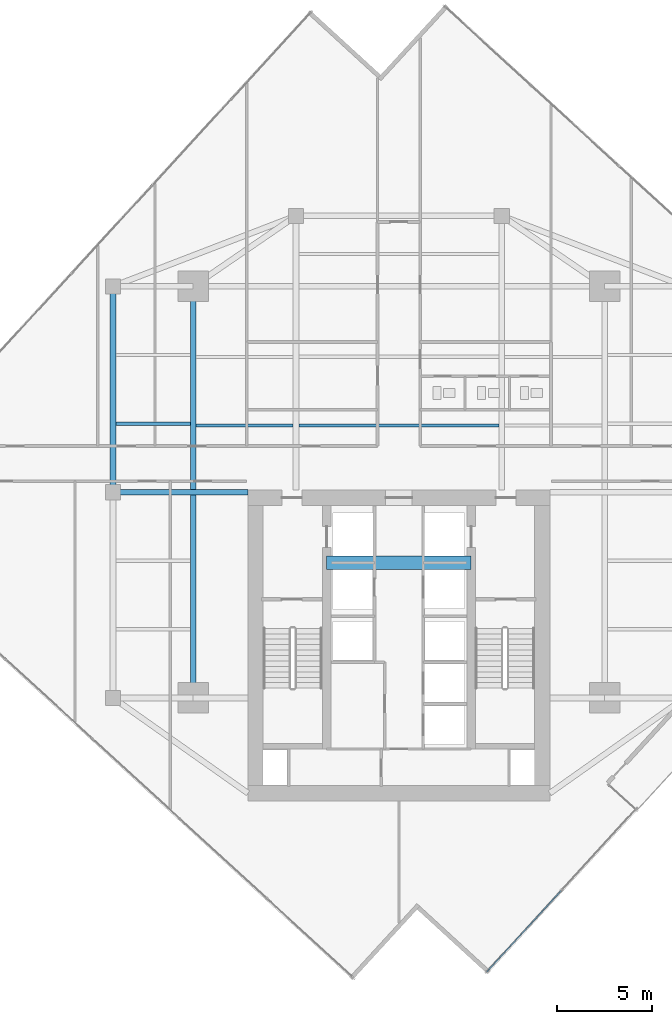
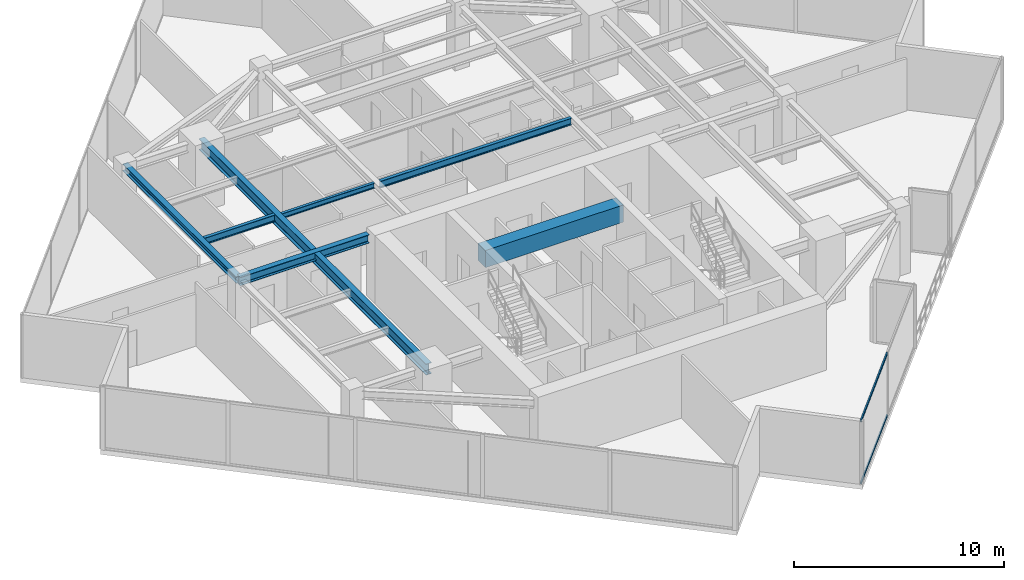
# One storey, part 9 of 26: 7 beams, 2 members, 1 element without a shape of its own.
"""IFC4 building model written with IfcOpenShell, lengths in metres."""

from ifc_helpers import new_model, si_unit, direction, frame, origin, origin_2d, place, context, subcontext, project, spatial, rectangle, hollow_rectangle, i_section, extrude, source, transform, mapped, material, material_profile, profile_set, type_object, type_shapes, element, aggregate, save


model = new_model("IFC4")

# Units and contexts
model_context = context("Model", 3, precision=1e-05, world=origin(), true_north=direction((0.0, 1.0)))
body_context = subcontext(model_context, "Body", "Model", "MODEL_VIEW")
ifc_project = project(units=[si_unit("LENGTHUNIT", "METRE"), si_unit("AREAUNIT", "SQUARE_METRE"), si_unit("VOLUMEUNIT", "CUBIC_METRE"), si_unit("PLANEANGLEUNIT", "RADIAN"), si_unit("MASSUNIT", "GRAM", prefix="KILO")], contexts=[model_context])

# Site, building, storey
site_placement = place(None, origin())
site = spatial("IfcSite", under=ifc_project, at=site_placement, CompositionType="ELEMENT")
building_placement = place(site_placement, origin())
building = spatial("IfcBuilding", under=site, at=building_placement, Name="Krantzveldt Concourse Tower", CompositionType="ELEMENT")
storey_placement = place(building_placement, frame((0.0, 0.0, 227.050048828125)))
storey = spatial("IfcBuildingStorey", under=building, at=storey_placement, Name="L55", CompositionType="ELEMENT", Elevation=227.050048828125)

# Beams
ifc_material_1 = material(Name="Steel S355JR", Category="steel")
ifc_material_profile_1 = material_profile(ifc_material_1, i_section(OverallWidth=0.300048828125, OverallDepth=0.639892578125, WebThickness=0.013427734375, FlangeThickness=0.02587890625, FilletRadius=0.027099609375, at=origin_2d()), Name="Steel S355JR", Category="steel")
ifc_profile_set_1 = profile_set([ifc_material_profile_1], Name="Steel S355JR - HEA 650")
beam_type_1 = type_object("IfcBeamType", Name="BM-B-HEA650", PredefinedType="BEAM", material=ifc_profile_set_1)
shared_shape_1 = source(origin(), body_context, "Body", "SweptSolid", [
    extrude(i_section(OverallWidth=0.300048828125, OverallDepth=0.639892578125, WebThickness=0.013427734375, FlangeThickness=0.02587890625, FilletRadius=0.027099609375, at=origin_2d()), origin(), (0.0, 0.0, 1.0), 21.60009765625),
])
type_shapes(beam_type_1, [shared_shape_1])
beam_1_placement = place(storey_placement, frame((25.199951171875, 15.89990234375, 3.349853515625), z_axis=(0.0, 1.0, 0.0), x_axis=(-1.0, 0.0, 0.0)))
element("IfcBeam", 1, at=beam_1_placement, inside=storey, type_object=beam_type_1, Name="L55 Tower Girder BG-MW", PredefinedType="BEAM", context=body_context, shape_type="MappedRepresentation", body=[
    mapped(shared_shape_1, transform((0.0, 0.0, 0.0), x_axis=(1.0, 0.0, 0.0), y_axis=(0.0, 1.0, 0.0), z_axis=(0.0, 0.0, 1.0), scale=1.0)),
])
ifc_material_profile_2 = material_profile(ifc_material_1, i_section(OverallWidth=0.179931640625, OverallDepth=0.39990234375, WebThickness=0.008544921875, FlangeThickness=0.013427734375, FilletRadius=0.02099609375, at=origin_2d()), Name="Steel S355JR", Category="steel")
ifc_profile_set_2 = profile_set([ifc_material_profile_2], Name="Steel S355JR - IPE 400")
beam_type_2 = type_object("IfcBeamType", Name="BM-J-IPE400", PredefinedType="JOIST", material=ifc_profile_set_2)
shared_shape_2 = source(origin(), body_context, "Body", "SweptSolid", [
    extrude(i_section(OverallWidth=0.179931640625, OverallDepth=0.39990234375, WebThickness=0.008544921875, FlangeThickness=0.013427734375, FilletRadius=0.02099609375, at=origin_2d()), origin(), (0.0, 0.0, 1.0), 10.5),
])
beam_2_placement = place(storey_placement, frame((30.75, 30.199951171875, 3.469970703125), z_axis=(1.0, 0.0, 0.0), x_axis=(0.0, 1.0, 0.0)))
element("IfcBeam", 2, at=beam_2_placement, inside=storey, type_object=beam_type_2, Name="L55 Secondary Floor Joist JN-C1", PredefinedType="JOIST", context=body_context, shape_type="MappedRepresentation", body=[
    mapped(shared_shape_2, transform((0.0, 0.0, 0.0), x_axis=(1.0, 0.0, 0.0), y_axis=(0.0, 1.0, 0.0), z_axis=(0.0, 0.0, 1.0), scale=1.0)),
])
ifc_material_2 = material(Name="Concrete C50/60", Category="concrete")
ifc_material_profile_3 = material_profile(ifc_material_2, rectangle(XDim=0.699951171875, YDim=1.0, at=origin_2d()), Name="Concrete C50/60", Category="concrete")
ifc_profile_set_3 = profile_set([ifc_material_profile_3], Name="Concrete C50/60 - RC-CB 700x1000")
beam_type_3 = type_object("IfcBeamType", Name="BM-CB-1000", PredefinedType="LINTEL", material=ifc_profile_set_3)
shared_shape_3 = source(origin(), body_context, "Body", "SweptSolid", [
    extrude(rectangle(XDim=0.699951171875, YDim=1.0, at=origin_2d()), origin(), (0.0, 0.0, 1.0), 7.580078125),
])
type_shapes(beam_type_3, [shared_shape_3])
beam_3_placement = place(storey_placement, frame((32.2099609375, 23.0, 3.169921875), z_axis=(1.0, 0.0, 0.0), x_axis=(0.0, 1.0, 0.0)))
element("IfcBeam", 3, at=beam_3_placement, inside=storey, type_object=beam_type_3, Name="CB-L55-01", PredefinedType="LINTEL", context=body_context, shape_type="MappedRepresentation", body=[
    mapped(shared_shape_3, transform((0.0, 0.0, 0.0), x_axis=(1.0, 0.0, 0.0), y_axis=(0.0, 1.0, 0.0), z_axis=(0.0, 0.0, 1.0), scale=1.0)),
])
ifc_material_profile_4 = material_profile(ifc_material_1, i_section(OverallWidth=0.300048828125, OverallDepth=0.389892578125, WebThickness=0.010986328125, FlangeThickness=0.01904296875, FilletRadius=0.027099609375, at=origin_2d()), Name="Steel S355JR", Category="steel")
ifc_profile_set_4 = profile_set([ifc_material_profile_4], Name="Steel S355JR - HEA 400")
beam_type_4 = type_object("IfcBeamType", Name="BM-SP-HEA400", PredefinedType="SPANDREL", material=ifc_profile_set_4)
shared_shape_4 = source(origin(), body_context, "Body", "SweptSolid", [
    extrude(i_section(OverallWidth=0.300048828125, OverallDepth=0.389892578125, WebThickness=0.010986328125, FlangeThickness=0.01904296875, FilletRadius=0.027099609375, at=origin_2d()), origin(), (0.0, 0.0, 1.0), 10.800048828125),
])
type_shapes(beam_type_4, [shared_shape_4])
beam_4_placement = place(storey_placement, frame((21.0, 26.699951171875, 3.474853515625), z_axis=(0.0, 1.0, 0.0), x_axis=(-1.0, 0.0, 0.0)))
element("IfcBeam", 4, at=beam_4_placement, inside=storey, type_object=beam_type_4, Name="L55 Tower Girder SP-R02", PredefinedType="SPANDREL", context=body_context, shape_type="MappedRepresentation", body=[
    mapped(shared_shape_4, transform((0.0, 0.0, 0.0), x_axis=(1.0, 0.0, 0.0), y_axis=(0.0, 1.0, 0.0), z_axis=(0.0, 0.0, 1.0), scale=1.0)),
])
ifc_material_profile_5 = material_profile(ifc_material_1, i_section(OverallWidth=0.300048828125, OverallDepth=0.489990234375, WebThickness=0.011962890625, FlangeThickness=0.02294921875, FilletRadius=0.027099609375, at=origin_2d()), Name="Steel S355JR", Category="steel")
ifc_profile_set_5 = profile_set([ifc_material_profile_5], Name="Steel S355JR - HEA 500")
beam_type_5 = type_object("IfcBeamType", Name="BM-B-HEA500", PredefinedType="BEAM", material=ifc_profile_set_5)
shared_shape_5 = source(origin(), body_context, "Body", "SweptSolid", [
    extrude(i_section(OverallWidth=0.300048828125, OverallDepth=0.489990234375, WebThickness=0.011962890625, FlangeThickness=0.02294921875, FilletRadius=0.027099609375, at=origin_2d()), origin(), (0.0, 0.0, 1.0), 7.080078125),
])
type_shapes(beam_type_5, [shared_shape_5])
beam_5_placement = place(storey_placement, frame((21.0, 26.699951171875, 3.425048828125), z_axis=(1.0, 0.0, 0.0), x_axis=(0.0, 1.0, 0.0)))
element("IfcBeam", 5, at=beam_5_placement, inside=storey, type_object=beam_type_5, Name="L55 Tower Girder BG-CW2", PredefinedType="BEAM", context=body_context, shape_type="MappedRepresentation", body=[
    mapped(shared_shape_5, transform((0.0, 0.0, 0.0), x_axis=(1.0, 0.0, 0.0), y_axis=(0.0, 1.0, 0.0), z_axis=(0.0, 0.0, 1.0), scale=1.0)),
])
ifc_material_profile_6 = material_profile(ifc_material_1, i_section(OverallWidth=0.14990234375, OverallDepth=0.300048828125, WebThickness=0.007080078125, FlangeThickness=0.0107421875, FilletRadius=0.014892578125, at=origin_2d()), Name="Steel S355JR", Category="steel")
ifc_profile_set_6 = profile_set([ifc_material_profile_6], Name="Steel S355JR - IPE 300")
beam_type_6 = type_object("IfcBeamType", Name="BM-J-IPE300", PredefinedType="JOIST", material=ifc_profile_set_6)
shared_shape_6 = source(origin(), body_context, "Body", "SweptSolid", [
    extrude(i_section(OverallWidth=0.14990234375, OverallDepth=0.300048828125, WebThickness=0.007080078125, FlangeThickness=0.0107421875, FilletRadius=0.014892578125, at=origin_2d()), origin(), (0.0, 0.0, 1.0), 5.099853515625),
])
type_shapes(beam_type_6, [shared_shape_6])
beam_6_placement = place(storey_placement, frame((25.35009765625, 30.199951171875, 3.52001953125), z_axis=(1.0, 0.0, 0.0), x_axis=(0.0, 1.0, 0.0)))
element("IfcBeam", 6, at=beam_6_placement, inside=storey, type_object=beam_type_6, Name="L55 Secondary Floor Joist JN-W1", PredefinedType="JOIST", context=body_context, shape_type="MappedRepresentation", body=[
    mapped(shared_shape_6, transform((0.0, 0.0, 0.0), x_axis=(1.0, 0.0, 0.0), y_axis=(0.0, 1.0, 0.0), z_axis=(0.0, 0.0, 1.0), scale=1.0)),
])
shared_shape_7 = source(origin(), body_context, "Body", "SweptSolid", [
    extrude(i_section(OverallWidth=0.179931640625, OverallDepth=0.39990234375, WebThickness=0.008544921875, FlangeThickness=0.013427734375, FilletRadius=0.02099609375, at=origin_2d()), origin(), (0.0, 0.0, 1.0), 3.900146484375),
])
type_shapes(beam_type_2, [shared_shape_2, shared_shape_7])
beam_7_placement = place(storey_placement, frame((21.14990234375, 30.300048828125, 3.469970703125), z_axis=(1.0, 0.0, 0.0), x_axis=(0.0, 1.0, 0.0)))
element("IfcBeam", 7, at=beam_7_placement, inside=storey, type_object=beam_type_2, Name="L55 Secondary Floor Joist JW-3", PredefinedType="JOIST", context=body_context, shape_type="MappedRepresentation", body=[
    mapped(shared_shape_7, transform((0.0, 0.0, 0.0), x_axis=(1.0, 0.0, 0.0), y_axis=(0.0, 1.0, 0.0), z_axis=(0.0, 0.0, 1.0), scale=1.0)),
])

# Curtain wall, members
ifc_material_3 = material(Name="Anodised aluminium 6063-T6", Category="aluminium")
curtain_wall_type = type_object("IfcCurtainWallType", Name="CW3", PredefinedType="USERDEFINED", material=ifc_material_3)
curtain_wall_placement = place(storey_placement, origin())
curtain_wall = element("IfcCurtainWall", 8, at=curtain_wall_placement, inside=storey, type_object=curtain_wall_type, Name="CW-L55-F07", ObjectType="UNITISED CURTAIN WALL", PredefinedType="USERDEFINED")
ifc_material_profile_7 = material_profile(ifc_material_3, hollow_rectangle(XDim=0.070068359375, YDim=0.139892578125, WallThickness=0.0048828125, at=origin_2d()), Name="Anodised aluminium 6063-T6", Category="aluminium")
ifc_profile_set_7 = profile_set([ifc_material_profile_7], Name="Anodised aluminium 6063-T6 - ALU-TRAN 140x70x5")
member_type = type_object("IfcMemberType", Name="CW-TRN-150", PredefinedType="USERDEFINED", material=ifc_profile_set_7)
shared_shape_8 = source(origin(), body_context, "Body", "SweptSolid", [
    extrude(hollow_rectangle(XDim=0.070068359375, YDim=0.139892578125, WallThickness=0.0048828125, at=origin_2d()), origin(), (0.0, 0.0, 1.0), 5.7451171875),
])
type_shapes(member_type, [shared_shape_8])
member_1_placement = place(storey_placement, frame((40.62353515625, 1.534912109375, 0.034912109375), z_axis=(0.675559117581, 0.737305824372, 0.0), x_axis=(-0.737305824372, 0.675559117581, 0.0)))
member_1 = element("IfcMember", 9, at=member_1_placement, type_object=member_type, Name="CW-Z34 transom 1.1", ObjectType="TRANSOM", PredefinedType="USERDEFINED", context=body_context, shape_type="MappedRepresentation", body=[
    mapped(shared_shape_8, transform((0.0, 0.0, 0.0), x_axis=(1.0, 0.0, 0.0), y_axis=(0.0, 1.0, 0.0), z_axis=(0.0, 0.0, 1.0), scale=1.0)),
])
member_2_placement = place(storey_placement, frame((40.62353515625, 1.534912109375, 3.635009765625), z_axis=(0.675559117581, 0.737305824372, 0.0), x_axis=(-0.737305824372, 0.675559117581, 0.0)))
member_2 = element("IfcMember", 10, at=member_2_placement, type_object=member_type, Name="CW-Z34 transom 1.2", ObjectType="TRANSOM", PredefinedType="USERDEFINED", context=body_context, shape_type="MappedRepresentation", body=[
    mapped(shared_shape_8, transform((0.0, 0.0, 0.0), x_axis=(1.0, 0.0, 0.0), y_axis=(0.0, 1.0, 0.0), z_axis=(0.0, 0.0, 1.0), scale=1.0)),
])
aggregate(curtain_wall, [member_1, member_2])

save(model, "model.ifc")
